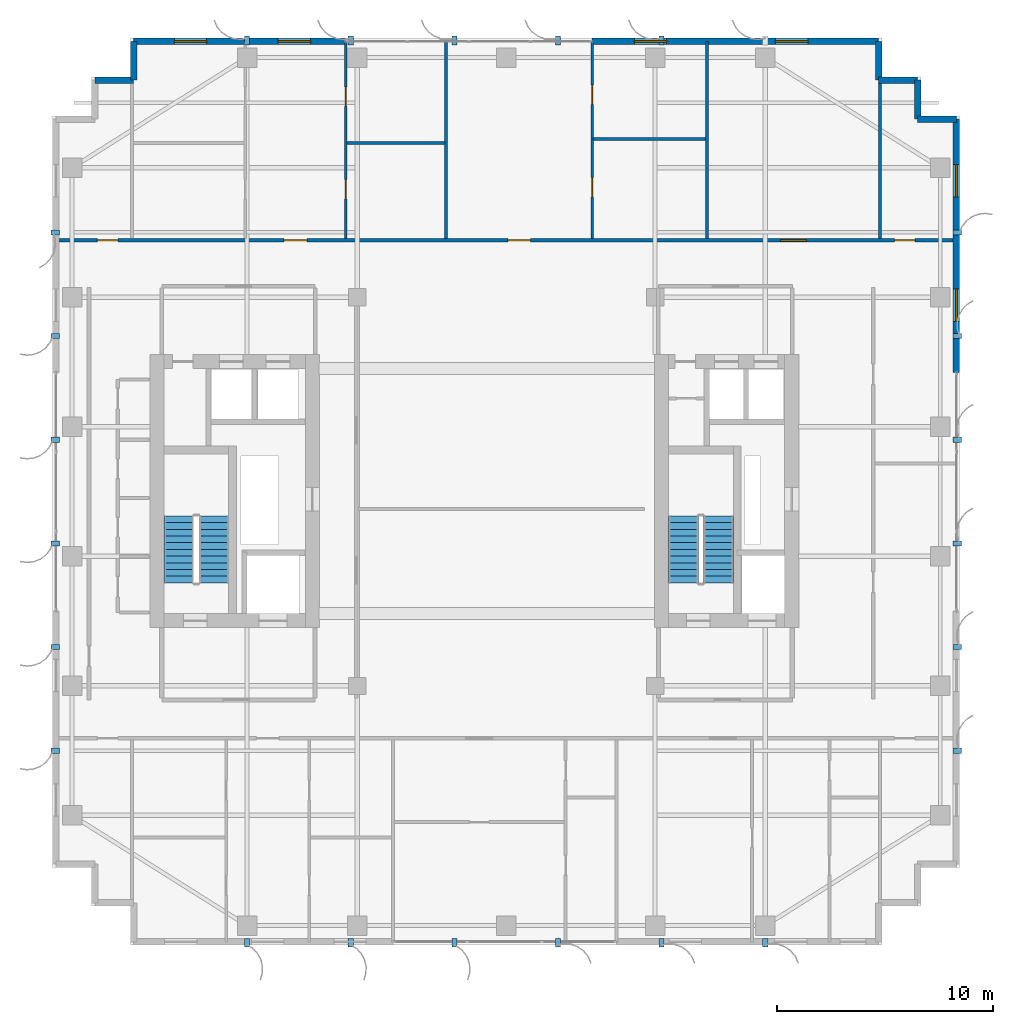
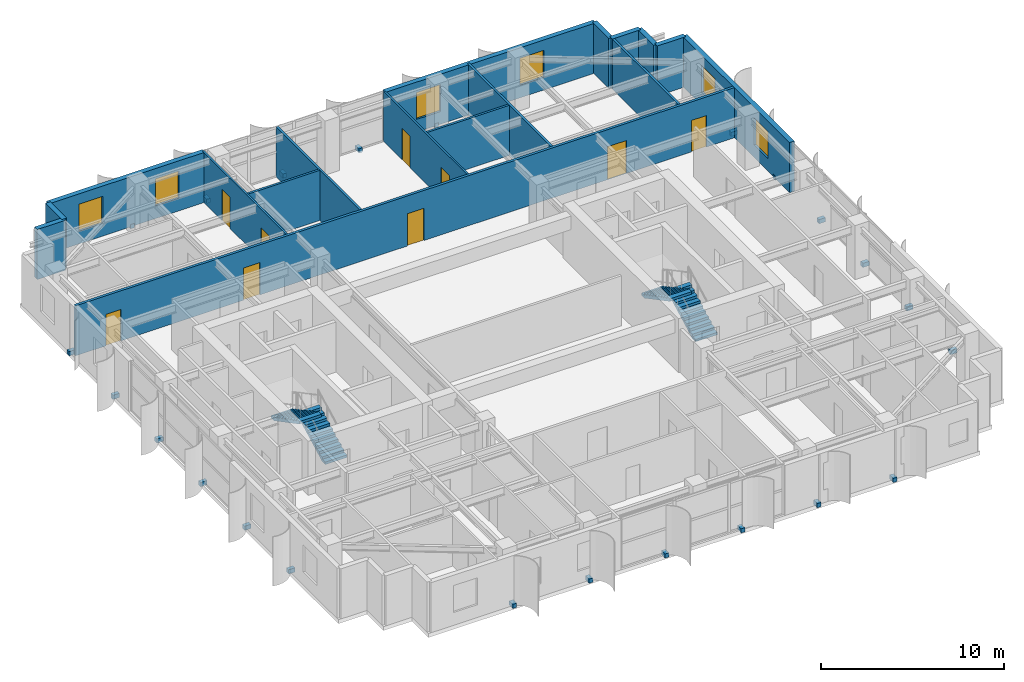
# One storey, part 18 of 22: 23 discrete accessories, 17 walls, 9 doors, 6 windows, 4 stair flights, 15 openings, 2 elements without a shape of their own.
"""IFC4 building model written with IfcOpenShell, lengths in metres."""

from ifc_helpers import new_model, si_unit, direction, frame, frame_2d, origin, origin_2d, place, context, subcontext, project, spatial, polyline, rectangle, outline, extrude, source, transform, mapped, material, layer, layer_set, type_object, element, fill, aggregate, save


model = new_model("IFC4")

# Units and contexts
model_context = context("Model", 3, precision=1e-05, world=origin(), true_north=direction((0.0, 1.0)))
body_context = subcontext(model_context, "Body", "Model", "MODEL_VIEW")
ifc_project = project(units=[si_unit("LENGTHUNIT", "METRE"), si_unit("AREAUNIT", "SQUARE_METRE"), si_unit("VOLUMEUNIT", "CUBIC_METRE"), si_unit("PLANEANGLEUNIT", "RADIAN"), si_unit("MASSUNIT", "GRAM", prefix="KILO")], contexts=[model_context])

# Site, building, storey
site_placement = place(None, origin())
site = spatial("IfcSite", under=ifc_project, at=site_placement, CompositionType="ELEMENT")
building_placement = place(site_placement, origin())
building = spatial("IfcBuilding", under=site, at=building_placement, Name="Khoralis Quay Care Tower", CompositionType="ELEMENT")
storey_placement = place(building_placement, frame((0.0, 0.0, 180.89990234375)))
storey = spatial("IfcBuildingStorey", under=building, at=storey_placement, Name="L47", CompositionType="ELEMENT", Elevation=180.89990234375)

# Wall, openings, doors
ifc_material_1 = material(Name="Gypsum plasterboard on acoustic metal stud")
ifc_layer_1 = layer(ifc_material_1, 0.1650390625)
ifc_layer_set_1 = layer_set([ifc_layer_1], Name="Gypsum plasterboard on acoustic metal stud")
wall_type_1 = type_object("IfcWallType", Name="WL-CORR-165", PredefinedType="PARTITIONING", material=ifc_layer_set_1)
wall_1_placement = place(storey_placement, frame((3.14501953125, 32.639892578125, 0.0), z_axis=(0.0, 0.0, 1.0), x_axis=(1.0, 0.0, 0.0)))
wall_1 = element("IfcWall", 1, at=wall_1_placement, inside=storey, type_object=wall_type_1, Name="L47 North Main Corridor Wall", PredefinedType="PARTITIONING", context=body_context, shape_type="SweptSolid", body=[
    extrude(rectangle(XDim=41.7099609375, YDim=0.1650390625, at=frame_2d((20.85498046875, 0.0))), origin(), (0.0, 0.0, 1.0), 3.340087890625),
])
opening_1_placement = place(wall_1_placement, frame((10.570556640625, 0.0, 0.0)))
opening_1 = element("IfcOpeningElement", 2, at=opening_1_placement, cuts=wall_1, Name="Opening UD1", PredefinedType="OPENING", context=body_context, shape_type="SweptSolid", body=[
    extrude(rectangle(XDim=1.050048828125, YDim=2.14990234375, at=frame_2d((0.52490234375, 1.074951171875))), frame((0.0, 0.092529296875, 0.0), z_axis=(0.0, -1.0, 0.0), x_axis=(1.0, 0.0, 0.0)), (0.0, 0.0, 1.0), 0.18505859375),
])
opening_2_placement = place(wall_1_placement, frame((20.929443359375, 0.0, 0.0)))
opening_2 = element("IfcOpeningElement", 3, at=opening_2_placement, cuts=wall_1, Name="Opening UD1", PredefinedType="OPENING", context=body_context, shape_type="SweptSolid", body=[
    extrude(rectangle(XDim=1.050048828125, YDim=2.14990234375, at=frame_2d((0.52490234375, 1.074951171875))), frame((0.0, 0.092529296875, 0.0), z_axis=(0.0, -1.0, 0.0), x_axis=(1.0, 0.0, 0.0)), (0.0, 0.0, 1.0), 0.18505859375),
])
opening_3_placement = place(wall_1_placement, frame((33.56005859375, 0.0, 0.0)))
opening_3 = element("IfcOpeningElement", 4, at=opening_3_placement, cuts=wall_1, Name="Opening FD1", PredefinedType="OPENING", context=body_context, shape_type="SweptSolid", body=[
    extrude(rectangle(XDim=1.199951171875, YDim=2.199951171875, at=frame_2d((0.60009765625, 1.10009765625))), frame((0.0, 0.092529296875, 0.0), z_axis=(0.0, -1.0, 0.0), x_axis=(1.0, 0.0, 0.0)), (0.0, 0.0, 1.0), 0.18505859375),
])
opening_4_placement = place(wall_1_placement, frame((1.919921875, 0.0, 0.0)))
opening_4 = element("IfcOpeningElement", 5, at=opening_4_placement, cuts=wall_1, Name="Opening ID1", PredefinedType="OPENING", context=body_context, shape_type="SweptSolid", body=[
    extrude(rectangle(XDim=0.949951171875, YDim=2.10009765625, at=frame_2d((0.47509765625, 1.050048828125))), frame((0.0, 0.092529296875, 0.0), z_axis=(0.0, -1.0, 0.0), x_axis=(1.0, 0.0, 0.0)), (0.0, 0.0, 1.0), 0.18505859375),
])
opening_5_placement = place(wall_1_placement, frame((38.840087890625, 0.0, 0.0)))
opening_5 = element("IfcOpeningElement", 6, at=opening_5_placement, cuts=wall_1, Name="Opening ID1", PredefinedType="OPENING", context=body_context, shape_type="SweptSolid", body=[
    extrude(rectangle(XDim=0.949951171875, YDim=2.10009765625, at=frame_2d((0.47509765625, 1.050048828125))), frame((0.0, 0.092529296875, 0.0), z_axis=(0.0, -1.0, 0.0), x_axis=(1.0, 0.0, 0.0)), (0.0, 0.0, 1.0), 0.18505859375),
])
ifc_material_2 = material(Name="Fire-rated painted steel", Category="steel")
door_type_1 = type_object("IfcDoorType", Name="DR-FFL-1200X2200", OperationType="NOTDEFINED", PredefinedType="DOOR", material=ifc_material_2)
shared_shape_1 = source(origin(), body_context, "Body", "SweptSolid", [
    extrude(rectangle(XDim=1.199951171875, YDim=2.199951171875, at=frame_2d((0.60009765625, 1.10009765625))), frame((0.0, 0.02490234375, 0.0), z_axis=(0.0, -1.0, 0.0), x_axis=(1.0, 0.0, 0.0)), (0.0, 0.0, 1.0), 0.050048828125),
])
door_1_placement = place(opening_3_placement, origin())
door_1 = element("IfcDoor", 7, at=door_1_placement, inside=storey, type_object=door_type_1, Name="L47 Assisted Communal Dining Room Door", OperationType="DOUBLE_DOOR_SINGLE_SWING", OverallHeight=2.199951171875, OverallWidth=1.199951171875, PredefinedType="DOOR", context=body_context, shape_type="MappedRepresentation", body=[
    mapped(shared_shape_1, transform((0.0, 0.0, 0.0), scale=1.0)),
])
fill(opening_3, door_1)
ifc_material_3 = material(Name="Acoustic hardwood timber", Category="wood")
door_type_2 = type_object("IfcDoorType", Name="DR-ROOM-950X2100", OperationType="NOTDEFINED", PredefinedType="DOOR", material=ifc_material_3)
shared_shape_2 = source(origin(), body_context, "Body", "SweptSolid", [
    extrude(rectangle(XDim=0.949951171875, YDim=2.10009765625, at=frame_2d((0.47509765625, 1.050048828125))), frame((0.0, 0.02490234375, 0.0), z_axis=(0.0, -1.0, 0.0), x_axis=(1.0, 0.0, 0.0)), (0.0, 0.0, 1.0), 0.050048828125),
])
door_2_placement = place(opening_4_placement, origin())
door_2 = element("IfcDoor", 8, at=door_2_placement, inside=storey, type_object=door_type_2, Name="L47 NW Corner Door", OperationType="SINGLE_SWING_RIGHT", OverallHeight=2.10009765625, OverallWidth=0.949951171875, PredefinedType="DOOR", context=body_context, shape_type="MappedRepresentation", body=[
    mapped(shared_shape_2, transform((0.0, 0.0, 0.0), scale=1.0)),
])
fill(opening_4, door_2)
door_3_placement = place(opening_5_placement, origin())
door_3 = element("IfcDoor", 9, at=door_3_placement, inside=storey, type_object=door_type_2, Name="L47 NE Corner Door", OperationType="SINGLE_SWING_LEFT", OverallHeight=2.10009765625, OverallWidth=0.949951171875, PredefinedType="DOOR", context=body_context, shape_type="MappedRepresentation", body=[
    mapped(shared_shape_2, transform((0.0, 0.0, 0.0), scale=1.0)),
])
fill(opening_5, door_3)
door_type_3 = type_object("IfcDoorType", Name="DR-SUITE-1050X2150", OperationType="NOTDEFINED", PredefinedType="DOOR", material=ifc_material_3)
shared_shape_3 = source(origin(), body_context, "Body", "SweptSolid", [
    extrude(rectangle(XDim=1.050048828125, YDim=2.14990234375, at=frame_2d((0.52490234375, 1.074951171875))), frame((0.0, 0.02490234375, 0.0), z_axis=(0.0, -1.0, 0.0), x_axis=(1.0, 0.0, 0.0)), (0.0, 0.0, 1.0), 0.050048828125),
])
door_4_placement = place(opening_1_placement, origin())
door_4 = element("IfcDoor", 10, at=door_4_placement, inside=storey, type_object=door_type_3, Name="L47 2BR NB0 Entrance", OperationType="SINGLE_SWING_LEFT", OverallHeight=2.14990234375, OverallWidth=1.050048828125, PredefinedType="DOOR", context=body_context, shape_type="MappedRepresentation", body=[
    mapped(shared_shape_3, transform((0.0, 0.0, 0.0), scale=1.0)),
])
fill(opening_1, door_4)
door_5_placement = place(opening_2_placement, origin())
door_5 = element("IfcDoor", 11, at=door_5_placement, inside=storey, type_object=door_type_3, Name="L47 Studio NB1 Entrance", OperationType="SINGLE_SWING_RIGHT", OverallHeight=2.14990234375, OverallWidth=1.050048828125, PredefinedType="DOOR", context=body_context, shape_type="MappedRepresentation", body=[
    mapped(shared_shape_3, transform((0.0, 0.0, 0.0), scale=1.0)),
])
fill(opening_2, door_5)

# Wall, openings, windows
ifc_material_4 = material(Name="Precast concrete C45/55", Category="concrete")
ifc_layer_2 = layer(ifc_material_4, 0.300048828125)
ifc_layer_set_2 = layer_set([ifc_layer_2], Name="Precast concrete C45/55")
wall_type_2 = type_object("IfcWallType", Name="WL-EXT-REF-300", PredefinedType="SOLIDWALL", material=ifc_layer_set_2)
wall_2_placement = place(storey_placement, frame((44.85009765625, 26.52001953125, 0.0), z_axis=(0.0, 0.0, 1.0), x_axis=(0.0, 1.0, 0.0)))
wall_2 = element("IfcWall", 12, at=wall_2_placement, inside=storey, type_object=wall_type_2, Name="L47 External Facade Wall WL-EXT-L47-P1-E5B", PredefinedType="SOLIDWALL", context=body_context, shape_type="SweptSolid", body=[
    extrude(rectangle(XDim=11.72998046875, YDim=0.300048828125, at=frame_2d((5.864990234375, 0.0))), origin(), (0.0, 0.0, 1.0), 3.340087890625),
])
opening_6_placement = place(wall_2_placement, frame((2.360107421875, 0.0, 0.85009765625)))
opening_6 = element("IfcOpeningElement", 13, at=opening_6_placement, cuts=wall_2, Name="Opening W3", PredefinedType="OPENING", context=body_context, shape_type="SweptSolid", body=[
    extrude(rectangle(XDim=1.5, YDim=1.800048828125, at=frame_2d((0.75, 0.89990234375))), frame((0.0, 0.16015625, 0.0), z_axis=(0.0, -1.0, 0.0), x_axis=(1.0, 0.0, 0.0)), (0.0, 0.0, 1.0), 0.320068359375),
])
opening_7_placement = place(wall_2_placement, frame((8.125, 0.0, 0.85009765625)))
opening_7 = element("IfcOpeningElement", 14, at=opening_7_placement, cuts=wall_2, Name="Opening W3", PredefinedType="OPENING", context=body_context, shape_type="SweptSolid", body=[
    extrude(rectangle(XDim=1.5, YDim=1.800048828125, at=frame_2d((0.75, 0.89990234375))), frame((0.0, 0.16015625, 0.0), z_axis=(0.0, -1.0, 0.0), x_axis=(1.0, 0.0, 0.0)), (0.0, 0.0, 1.0), 0.320068359375),
])
ifc_material_5 = material(Name="Low-E solar-control double glazing", Category="glass")
window_type = type_object("IfcWindowType", Name="WN-CLIN-1500X1800", PartitioningType="SINGLE_PANEL", PredefinedType="WINDOW", material=ifc_material_5)
shared_shape_4 = source(origin(), body_context, "Body", "SweptSolid", [
    extrude(rectangle(XDim=1.5, YDim=1.800048828125, at=frame_2d((0.75, 0.89990234375))), frame((0.0, 0.030029296875, 0.0), z_axis=(0.0, -1.0, 0.0), x_axis=(1.0, 0.0, 0.0)), (0.0, 0.0, 1.0), 0.06005859375),
])
window_1_placement = place(opening_6_placement, origin())
window_1 = element("IfcWindow", 15, at=window_1_placement, inside=storey, type_object=window_type, Name="WN-L47-P1-E5B Facade Window 01", OverallHeight=1.800048828125, OverallWidth=1.5, PartitioningType="SINGLE_PANEL", PredefinedType="WINDOW", context=body_context, shape_type="MappedRepresentation", body=[
    mapped(shared_shape_4, transform((0.0, 0.0, 0.0), scale=1.0)),
])
fill(opening_6, window_1)
window_2_placement = place(opening_7_placement, origin())
window_2 = element("IfcWindow", 16, at=window_2_placement, inside=storey, type_object=window_type, Name="WN-L47-P1-E5B Facade Window 02", OverallHeight=1.800048828125, OverallWidth=1.5, PartitioningType="SINGLE_PANEL", PredefinedType="WINDOW", context=body_context, shape_type="MappedRepresentation", body=[
    mapped(shared_shape_4, transform((0.0, 0.0, 0.0), scale=1.0)),
])
fill(opening_7, window_2)

# Walls
for number, where, z_axis, x_axis, name in (
    (17, (44.85009765625, 38.25, 0.0), (0.0, 0.0, 1.0), (-1.0, 0.0, 0.0), "L47 External Facade Wall WL-EXT-L47-P1-C6"),
    (18, (43.050048828125, 38.25, 0.0), (0.0, 0.0, 1.0), (0.0, 1.0, 0.0), "L47 External Facade Wall WL-EXT-L47-P1-C7"),
    (19, (43.050048828125, 40.050048828125, 0.0), (0.0, 0.0, 1.0), (-1.0, 0.0, 0.0), "L47 External Facade Wall WL-EXT-L47-P1-C8"),
    (20, (41.25, 40.050048828125, 0.0), (0.0, 0.0, 1.0), (0.0, 1.0, 0.0), "L47 External Facade Wall WL-EXT-L47-P1-C9"),
):
    element("IfcWall", number, at=place(storey_placement, frame(where, z_axis=z_axis, x_axis=x_axis)), inside=storey, type_object=wall_type_2, Name=name, PredefinedType="SOLIDWALL", context=body_context, shape_type="SweptSolid", body=[
        extrude(rectangle(XDim=1.800048828125, YDim=0.300048828125, at=frame_2d((0.89990234375, 0.0))), origin(), (0.0, 0.0, 1.0), 3.340087890625),
    ])

# Wall, openings, windows
wall_3_placement = place(storey_placement, frame((41.25, 41.85009765625, 0.0), z_axis=(0.0, 0.0, 1.0), x_axis=(-1.0, 0.0, 0.0)))
wall_3 = element("IfcWall", 21, at=wall_3_placement, inside=storey, type_object=wall_type_2, Name="L47 External Facade Wall WL-EXT-L47-P1-E10A", PredefinedType="SOLIDWALL", context=body_context, shape_type="SweptSolid", body=[
    extrude(rectangle(XDim=13.27099609375, YDim=0.300048828125, at=frame_2d((6.635498046875, 0.0))), origin(), (0.0, 0.0, 1.0), 3.340087890625),
])
opening_8_placement = place(wall_3_placement, frame((3.280029296875, 0.0, 0.85009765625)))
opening_8 = element("IfcOpeningElement", 22, at=opening_8_placement, cuts=wall_3, Name="Opening W3", PredefinedType="OPENING", context=body_context, shape_type="SweptSolid", body=[
    extrude(rectangle(XDim=1.5, YDim=1.800048828125, at=frame_2d((0.75, 0.89990234375))), frame((0.0, 0.16015625, 0.0), z_axis=(0.0, -1.0, 0.0), x_axis=(1.0, 0.0, 0.0)), (0.0, 0.0, 1.0), 0.320068359375),
])
opening_9_placement = place(wall_3_placement, frame((9.8154296875, 0.0, 0.85009765625)))
opening_9 = element("IfcOpeningElement", 23, at=opening_9_placement, cuts=wall_3, Name="Opening W3", PredefinedType="OPENING", context=body_context, shape_type="SweptSolid", body=[
    extrude(rectangle(XDim=1.5, YDim=1.800048828125, at=frame_2d((0.75, 0.89990234375))), frame((0.0, 0.16015625, 0.0), z_axis=(0.0, -1.0, 0.0), x_axis=(1.0, 0.0, 0.0)), (0.0, 0.0, 1.0), 0.320068359375),
])
window_3_placement = place(opening_8_placement, origin())
window_3 = element("IfcWindow", 24, at=window_3_placement, inside=storey, type_object=window_type, Name="WN-L47-P1-E10A Facade Window 01", OverallHeight=1.800048828125, OverallWidth=1.5, PartitioningType="SINGLE_PANEL", PredefinedType="WINDOW", context=body_context, shape_type="MappedRepresentation", body=[
    mapped(shared_shape_4, transform((0.0, 0.0, 0.0), scale=1.0)),
])
fill(opening_8, window_3)
window_4_placement = place(opening_9_placement, origin())
window_4 = element("IfcWindow", 25, at=window_4_placement, inside=storey, type_object=window_type, Name="WN-L47-P1-E10A Facade Window 02", OverallHeight=1.800048828125, OverallWidth=1.5, PartitioningType="SINGLE_PANEL", PredefinedType="WINDOW", context=body_context, shape_type="MappedRepresentation", body=[
    mapped(shared_shape_4, transform((0.0, 0.0, 0.0), scale=1.0)),
])
fill(opening_9, window_4)

wall_4_placement = place(storey_placement, frame((16.56689453125, 41.85009765625, 0.0), z_axis=(0.0, 0.0, 1.0), x_axis=(-1.0, 0.0, 0.0)))
wall_4 = element("IfcWall", 26, at=wall_4_placement, inside=storey, type_object=wall_type_2, Name="L47 External Facade Wall WL-EXT-L47-P1-E10B", PredefinedType="SOLIDWALL", context=body_context, shape_type="SweptSolid", body=[
    extrude(rectangle(XDim=9.81689453125, YDim=0.300048828125, at=frame_2d((4.908447265625, 0.0))), origin(), (0.0, 0.0, 1.0), 3.340087890625),
])
opening_10_placement = place(wall_4_placement, frame((1.62646484375, 0.0, 0.85009765625)))
opening_10 = element("IfcOpeningElement", 27, at=opening_10_placement, cuts=wall_4, Name="Opening W3", PredefinedType="OPENING", context=body_context, shape_type="SweptSolid", body=[
    extrude(rectangle(XDim=1.5, YDim=1.800048828125, at=frame_2d((0.75, 0.89990234375))), frame((0.0, 0.16015625, 0.0), z_axis=(0.0, -1.0, 0.0), x_axis=(1.0, 0.0, 0.0)), (0.0, 0.0, 1.0), 0.320068359375),
])
opening_11_placement = place(wall_4_placement, frame((6.43505859375, 0.0, 0.85009765625)))
opening_11 = element("IfcOpeningElement", 28, at=opening_11_placement, cuts=wall_4, Name="Opening W3", PredefinedType="OPENING", context=body_context, shape_type="SweptSolid", body=[
    extrude(rectangle(XDim=1.5, YDim=1.800048828125, at=frame_2d((0.75, 0.89990234375))), frame((0.0, 0.16015625, 0.0), z_axis=(0.0, -1.0, 0.0), x_axis=(1.0, 0.0, 0.0)), (0.0, 0.0, 1.0), 0.320068359375),
])
window_5_placement = place(opening_10_placement, origin())
window_5 = element("IfcWindow", 29, at=window_5_placement, inside=storey, type_object=window_type, Name="WN-L47-P1-E10B Facade Window 01", OverallHeight=1.800048828125, OverallWidth=1.5, PartitioningType="SINGLE_PANEL", PredefinedType="WINDOW", context=body_context, shape_type="MappedRepresentation", body=[
    mapped(shared_shape_4, transform((0.0, 0.0, 0.0), scale=1.0)),
])
fill(opening_10, window_5)
window_6_placement = place(opening_11_placement, origin())
window_6 = element("IfcWindow", 30, at=window_6_placement, inside=storey, type_object=window_type, Name="WN-L47-P1-E10B Facade Window 02", OverallHeight=1.800048828125, OverallWidth=1.5, PartitioningType="SINGLE_PANEL", PredefinedType="WINDOW", context=body_context, shape_type="MappedRepresentation", body=[
    mapped(shared_shape_4, transform((0.0, 0.0, 0.0), scale=1.0)),
])
fill(opening_11, window_6)

# Walls
for number, where, z_axis, x_axis, name in (
    (31, (6.75, 41.85009765625, 0.0), (0.0, 0.0, 1.0), (0.0, -1.0, 0.0), "L47 External Facade Wall WL-EXT-L47-P1-C11"),
    (32, (6.75, 40.050048828125, 0.0), (0.0, 0.0, 1.0), (-1.0, 0.0, 0.0), "L47 External Facade Wall WL-EXT-L47-P1-C12"),
):
    element("IfcWall", number, at=place(storey_placement, frame(where, z_axis=z_axis, x_axis=x_axis)), inside=storey, type_object=wall_type_2, Name=name, PredefinedType="SOLIDWALL", context=body_context, shape_type="SweptSolid", body=[
        extrude(rectangle(XDim=1.800048828125, YDim=0.300048828125, at=frame_2d((0.89990234375, 0.0))), origin(), (0.0, 0.0, 1.0), 3.340087890625),
    ])

# Wall, openings, doors
ifc_layer_3 = layer(ifc_material_1, 0.114990234375)
ifc_layer_set_3 = layer_set([ifc_layer_3], Name="Gypsum plasterboard on acoustic metal stud")
wall_type_3 = type_object("IfcWallType", Name="WL-PART-115", PredefinedType="PARTITIONING", material=ifc_layer_set_3)
wall_5_placement = place(storey_placement, frame((16.56689453125, 32.717529296875, 0.0), z_axis=(0.0, 0.0, 1.0), x_axis=(0.0, 1.0, 0.0)))
wall_5 = element("IfcWall", 33, at=wall_5_placement, inside=storey, type_object=wall_type_3, Name="L47 2BR 0 Right Wall", PredefinedType="PARTITIONING", context=body_context, shape_type="SweptSolid", body=[
    extrude(rectangle(XDim=9.137451171875, YDim=0.114990234375, at=frame_2d((4.56884765625, 0.0))), origin(), (0.0, 0.0, 1.0), 3.340087890625),
])
opening_12_placement = place(wall_5_placement, frame((6.1240234375, 0.0, 0.0)))
opening_12 = element("IfcOpeningElement", 34, at=opening_12_placement, cuts=wall_5, Name="Opening WD1", PredefinedType="OPENING", context=body_context, shape_type="SweptSolid", body=[
    extrude(rectangle(XDim=0.89990234375, YDim=2.10009765625, at=frame_2d((0.449951171875, 1.050048828125))), frame((0.0, 0.0673828125, 0.0), z_axis=(0.0, -1.0, 0.0), x_axis=(1.0, 0.0, 0.0)), (0.0, 0.0, 1.0), 0.135009765625),
])
opening_13_placement = place(wall_5_placement, frame((1.833984375, 0.0, 0.0)))
opening_13 = element("IfcOpeningElement", 35, at=opening_13_placement, cuts=wall_5, Name="Opening WD1", PredefinedType="OPENING", context=body_context, shape_type="SweptSolid", body=[
    extrude(rectangle(XDim=0.89990234375, YDim=2.10009765625, at=frame_2d((0.449951171875, 1.050048828125))), frame((0.0, 0.0673828125, 0.0), z_axis=(0.0, -1.0, 0.0), x_axis=(1.0, 0.0, 0.0)), (0.0, 0.0, 1.0), 0.135009765625),
])
door_type_4 = type_object("IfcDoorType", Name="DR-BATH-900X2100", OperationType="NOTDEFINED", PredefinedType="DOOR", material=ifc_material_3)
shared_shape_5 = source(origin(), body_context, "Body", "SweptSolid", [
    extrude(rectangle(XDim=0.89990234375, YDim=2.10009765625, at=frame_2d((0.449951171875, 1.050048828125))), frame((0.0, 0.02490234375, 0.0), z_axis=(0.0, -1.0, 0.0), x_axis=(1.0, 0.0, 0.0)), (0.0, 0.0, 1.0), 0.050048828125),
])
door_6_placement = place(opening_12_placement, frame((0.89990234375, 0.0, 0.0), z_axis=(0.0, 0.0, 1.0), x_axis=(-1.0, 0.0, 0.0)))
door_6 = element("IfcDoor", 36, at=door_6_placement, inside=storey, type_object=door_type_4, Name="L47 2BR BD2 Door", OperationType="SINGLE_SWING_RIGHT", OverallHeight=2.10009765625, OverallWidth=0.89990234375, PredefinedType="DOOR", context=body_context, shape_type="MappedRepresentation", body=[
    mapped(shared_shape_5, transform((0.0, 0.0, 0.0), scale=1.0)),
])
fill(opening_12, door_6)
door_7_placement = place(opening_13_placement, frame((0.89990234375, 0.0, 0.0), z_axis=(0.0, 0.0, 1.0), x_axis=(-1.0, 0.0, 0.0)))
door_7 = element("IfcDoor", 37, at=door_7_placement, inside=storey, type_object=door_type_4, Name="L47 2BR KIT Door", OperationType="SINGLE_SWING_LEFT", OverallHeight=2.10009765625, OverallWidth=0.89990234375, PredefinedType="DOOR", context=body_context, shape_type="MappedRepresentation", body=[
    mapped(shared_shape_5, transform((0.0, 0.0, 0.0), scale=1.0)),
])
fill(opening_13, door_7)

wall_6_placement = place(storey_placement, frame((27.97900390625, 32.717529296875, 0.0), z_axis=(0.0, 0.0, 1.0), x_axis=(0.0, 1.0, 0.0)))
wall_6 = element("IfcWall", 38, at=wall_6_placement, inside=storey, type_object=wall_type_3, Name="L47 Studio 1 Internal Wall", PredefinedType="PARTITIONING", context=body_context, shape_type="SweptSolid", body=[
    extrude(rectangle(XDim=9.137451171875, YDim=0.114990234375, at=frame_2d((4.56884765625, 0.0))), origin(), (0.0, 0.0, 1.0), 3.340087890625),
])
opening_14_placement = place(wall_6_placement, frame((6.217529296875, 0.0, 0.0)))
opening_14 = element("IfcOpeningElement", 39, at=opening_14_placement, cuts=wall_6, Name="Opening WD1", PredefinedType="OPENING", context=body_context, shape_type="SweptSolid", body=[
    extrude(rectangle(XDim=0.89990234375, YDim=2.10009765625, at=frame_2d((0.449951171875, 1.050048828125))), frame((0.0, 0.0673828125, 0.0), z_axis=(0.0, -1.0, 0.0), x_axis=(1.0, 0.0, 0.0)), (0.0, 0.0, 1.0), 0.135009765625),
])
opening_15_placement = place(wall_6_placement, frame((1.927490234375, 0.0, 0.0)))
opening_15 = element("IfcOpeningElement", 40, at=opening_15_placement, cuts=wall_6, Name="Opening WD1", PredefinedType="OPENING", context=body_context, shape_type="SweptSolid", body=[
    extrude(rectangle(XDim=0.89990234375, YDim=2.10009765625, at=frame_2d((0.449951171875, 1.050048828125))), frame((0.0, 0.0673828125, 0.0), z_axis=(0.0, -1.0, 0.0), x_axis=(1.0, 0.0, 0.0)), (0.0, 0.0, 1.0), 0.135009765625),
])
door_8_placement = place(opening_14_placement, frame((0.89990234375, 0.0, 0.0), z_axis=(0.0, 0.0, 1.0), x_axis=(-1.0, 0.0, 0.0)))
door_8 = element("IfcDoor", 41, at=door_8_placement, inside=storey, type_object=door_type_4, Name="L47 Studio SKT Door", OperationType="SINGLE_SWING_LEFT", OverallHeight=2.10009765625, OverallWidth=0.89990234375, PredefinedType="DOOR", context=body_context, shape_type="MappedRepresentation", body=[
    mapped(shared_shape_5, transform((0.0, 0.0, 0.0), scale=1.0)),
])
fill(opening_14, door_8)
door_9_placement = place(opening_15_placement, frame((0.89990234375, 0.0, 0.0), z_axis=(0.0, 0.0, 1.0), x_axis=(-1.0, 0.0, 0.0)))
door_9 = element("IfcDoor", 42, at=door_9_placement, inside=storey, type_object=door_type_4, Name="L47 Studio SBH Door", OperationType="SINGLE_SWING_RIGHT", OverallHeight=2.10009765625, OverallWidth=0.89990234375, PredefinedType="DOOR", context=body_context, shape_type="MappedRepresentation", body=[
    mapped(shared_shape_5, transform((0.0, 0.0, 0.0), scale=1.0)),
])
fill(opening_15, door_9)

# Walls
ifc_material_6 = material(Name="Moisture-resistant gypsum and ceramic tile")
ifc_layer_4 = layer(ifc_material_6, 0.280029296875)
ifc_layer_set_4 = layer_set([ifc_layer_4], Name="Moisture-resistant gypsum and ceramic tile")
wall_type_4 = type_object("IfcWallType", Name="WL-PLUMB-280", PredefinedType="PLUMBINGWALL", material=ifc_layer_set_4)
wall_7_placement = place(storey_placement, frame((16.619384765625, 37.133056640625, 0.0), z_axis=(0.0, 0.0, 1.0), x_axis=(1.0, 0.0, 0.0)))
element("IfcWall", 43, at=wall_7_placement, inside=storey, type_object=wall_type_4, Name="L47 2BR 0 Right Split", PredefinedType="PLUMBINGWALL", context=body_context, shape_type="SweptSolid", body=[
    extrude(rectangle(XDim=4.53564453125, YDim=0.139892578125, at=frame_2d((2.267822265625, 0.0))), origin(), (0.0, 0.0, 1.0), 3.340087890625),
])
wall_8_placement = place(storey_placement, frame((28.031494140625, 37.320068359375, 0.0), z_axis=(0.0, 0.0, 1.0), x_axis=(1.0, 0.0, 0.0)))
element("IfcWall", 44, at=wall_8_placement, inside=storey, type_object=wall_type_4, Name="L47 Studio 1 Wet Split", PredefinedType="PLUMBINGWALL", context=body_context, shape_type="SweptSolid", body=[
    extrude(rectangle(XDim=5.193603515625, YDim=0.139892578125, at=frame_2d((2.5966796875, 0.0))), origin(), (0.0, 0.0, 1.0), 3.340087890625),
])
ifc_layer_5 = layer(ifc_material_1, 0.139892578125)
ifc_layer_set_5 = layer_set([ifc_layer_5], Name="Gypsum plasterboard on acoustic metal stud")
wall_type_5 = type_object("IfcWallType", Name="WL-UNIT-140", PredefinedType="PARTITIONING", material=ifc_layer_set_5)
for number, where, z_axis, x_axis, name in (
    (45, (21.219970703125, 32.717529296875, 0.0), (0.0, 0.0, 1.0), (0.0, 1.0, 0.0), "L47 NB Demising Wall 1"),
    (46, (33.2900390625, 32.717529296875, 0.0), (0.0, 0.0, 1.0), (0.0, 1.0, 0.0), "L47 NB Demising Wall 2"),
):
    element("IfcWall", number, at=place(storey_placement, frame(where, z_axis=z_axis, x_axis=x_axis)), inside=storey, type_object=wall_type_5, Name=name, PredefinedType="PARTITIONING", context=body_context, shape_type="SweptSolid", body=[
        extrude(rectangle(XDim=9.137451171875, YDim=0.139892578125, at=frame_2d((4.56884765625, 0.0))), origin(), (0.0, 0.0, 1.0), 3.340087890625),
    ])
wall_9_placement = place(storey_placement, frame((41.320068359375, 32.717529296875, 0.0), z_axis=(0.0, 0.0, 1.0), x_axis=(0.0, 1.0, 0.0)))
element("IfcWall", 47, at=wall_9_placement, inside=storey, type_object=wall_type_5, Name="L47 NB Demising Wall 3", PredefinedType="PARTITIONING", context=body_context, shape_type="SweptSolid", body=[
    extrude(rectangle(XDim=7.33740234375, YDim=0.139892578125, at=frame_2d((3.668701171875, 0.0))), origin(), (0.0, 0.0, 1.0), 3.340087890625),
])

# Stair, stair flights
stair_type = type_object("IfcStairType", Name="ST-TWR-DOGLEG-1400", PredefinedType="HALF_TURN_STAIR", material=ifc_material_4)
stair_1_placement = place(storey_placement, origin())
stair_1 = element("IfcStair", 48, at=stair_1_placement, inside=storey, type_object=stair_type, Name="L47 West Core Exit Stair ST-T1", PredefinedType="HALF_TURN_STAIR")
stair_flight_type = type_object("IfcStairFlightType", Name="SF-TWR-1400", PredefinedType="STRAIGHT", material=ifc_material_4)
shared_shape_6 = source(origin(), body_context, "Body", "SweptSolid", [
    extrude(outline(polyline([(0.0, 0.0), (0.0, 0.16357421875), (0.31005859375, 0.16357421875), (0.31005859375, 0.327392578125), (0.6201171875, 0.327392578125), (0.6201171875, 0.490966796875), (0.929931640625, 0.490966796875), (0.929931640625, 0.654541015625), (1.239990234375, 0.654541015625), (1.239990234375, 0.818115234375), (1.550048828125, 0.818115234375), (1.550048828125, 0.98193359375), (1.860107421875, 0.98193359375), (1.860107421875, 1.1455078125), (2.169921875, 1.1455078125), (2.169921875, 1.30908203125), (2.47998046875, 1.30908203125), (2.47998046875, 1.47265625), (2.7900390625, 1.47265625), (2.7900390625, 1.636474609375), (3.10009765625, 1.636474609375), (3.10009765625, 1.800048828125), (3.10009765625, 1.466796875), (0.321044921875, 0.0), (0.0, 0.0)])), frame((0.0, 0.68994140625, 0.0), z_axis=(0.0, -1.0, 0.0), x_axis=(1.0, 0.0, 0.0)), (0.0, 0.0, 1.0), 1.3798828125),
])
stair_flight_1_placement = place(storey_placement, frame((10.4599609375, 16.77001953125, 0.0), z_axis=(0.0, 0.0, 1.0), x_axis=(0.0, 1.0, 0.0)))
stair_flight_1 = element("IfcStairFlight", 49, at=stair_flight_1_placement, type_object=stair_flight_type, Name="ST-T1 flight 1", NumberOfRisers=11, NumberOfTreads=10, PredefinedType="STRAIGHT", RiserHeight=0.163636364, TreadLength=0.31, context=body_context, shape_type="MappedRepresentation", body=[
    mapped(shared_shape_6, transform((0.0, 0.0, 0.0), scale=1.0)),
])
stair_flight_2_placement = place(storey_placement, frame((8.840087890625, 19.8701171875, 1.800048828125), z_axis=(0.0, 0.0, 1.0), x_axis=(0.0, -1.0, 0.0)))
stair_flight_2 = element("IfcStairFlight", 50, at=stair_flight_2_placement, type_object=stair_flight_type, Name="ST-T1 flight 2", NumberOfRisers=11, NumberOfTreads=10, PredefinedType="STRAIGHT", RiserHeight=0.163636364, TreadLength=0.31, context=body_context, shape_type="MappedRepresentation", body=[
    mapped(shared_shape_6, transform((0.0, 0.0, 0.0), scale=1.0)),
])
aggregate(stair_1, [stair_flight_1, stair_flight_2])

stair_2_placement = place(storey_placement, origin())
stair_2 = element("IfcStair", 51, at=stair_2_placement, inside=storey, type_object=stair_type, Name="L47 East Core Exit Stair ST-T2", PredefinedType="HALF_TURN_STAIR")
stair_flight_3_placement = place(storey_placement, frame((33.830078125, 16.77001953125, 0.0), z_axis=(0.0, 0.0, 1.0), x_axis=(0.0, 1.0, 0.0)))
stair_flight_3 = element("IfcStairFlight", 52, at=stair_flight_3_placement, type_object=stair_flight_type, Name="ST-T2 flight 1", NumberOfRisers=11, NumberOfTreads=10, PredefinedType="STRAIGHT", RiserHeight=0.163636364, TreadLength=0.31, context=body_context, shape_type="MappedRepresentation", body=[
    mapped(shared_shape_6, transform((0.0, 0.0, 0.0), scale=1.0)),
])
stair_flight_4_placement = place(storey_placement, frame((32.2099609375, 19.8701171875, 1.800048828125), z_axis=(0.0, 0.0, 1.0), x_axis=(0.0, -1.0, 0.0)))
stair_flight_4 = element("IfcStairFlight", 53, at=stair_flight_4_placement, type_object=stair_flight_type, Name="ST-T2 flight 2", NumberOfRisers=11, NumberOfTreads=10, PredefinedType="STRAIGHT", RiserHeight=0.163636364, TreadLength=0.31, context=body_context, shape_type="MappedRepresentation", body=[
    mapped(shared_shape_6, transform((0.0, 0.0, 0.0), scale=1.0)),
])
aggregate(stair_2, [stair_flight_3, stair_flight_4])

# Discrete accessories
ifc_material_7 = material(Name="Brushed stainless steel", Category="steel")
discrete_accessory_type = type_object("IfcDiscreteAccessoryType", Name="ACC-FIN-BRACKET", PredefinedType="BRACKET", material=ifc_material_7)
shared_shape_7 = source(origin(), body_context, "Body", "SweptSolid", [
    extrude(rectangle(XDim=0.39990234375, YDim=0.239990234375, at=origin_2d()), origin(), (0.0, 0.0, 1.0), 0.280029296875),
])
for number, where, z_axis, x_axis, name in (
    (54, (12.0, 0.110107421875, -0.1201171875), (0.0, 0.0, 1.0), (0.0, -1.0, 0.0), "L47 Solar Fin Bracket P1E0-01"),
    (55, (16.800048828125, 0.110107421875, -0.1201171875), (0.0, 0.0, 1.0), (0.0, -1.0, 0.0), "L47 Solar Fin Bracket P1E0-02"),
    (56, (21.60009765625, 0.110107421875, -0.1201171875), (0.0, 0.0, 1.0), (0.0, -1.0, 0.0), "L47 Solar Fin Bracket P1E0-03"),
    (57, (26.39990234375, 0.110107421875, -0.1201171875), (0.0, 0.0, 1.0), (0.0, -1.0, 0.0), "L47 Solar Fin Bracket P1E0-04"),
    (58, (31.199951171875, 0.110107421875, -0.1201171875), (0.0, 0.0, 1.0), (0.0, -1.0, 0.0), "L47 Solar Fin Bracket P1E0-05"),
    (59, (36.0, 0.110107421875, -0.1201171875), (0.0, 0.0, 1.0), (0.0, -1.0, 0.0), "L47 Solar Fin Bracket P1E0-06"),
    (60, (44.889892578125, 9.0, -0.1201171875), (0.0, 0.0, 1.0), (1.0, 0.0, 0.0), "L47 Solar Fin Bracket P1E5-01"),
    (61, (44.889892578125, 13.800048828125, -0.1201171875), (0.0, 0.0, 1.0), (1.0, 0.0, 0.0), "L47 Solar Fin Bracket P1E5-02"),
    (62, (44.889892578125, 18.60009765625, -0.1201171875), (0.0, 0.0, 1.0), (1.0, 0.0, 0.0), "L47 Solar Fin Bracket P1E5-03"),
    (63, (44.889892578125, 23.39990234375, -0.1201171875), (0.0, 0.0, 1.0), (1.0, 0.0, 0.0), "L47 Solar Fin Bracket P1E5-04"),
    (64, (44.889892578125, 28.199951171875, -0.1201171875), (0.0, 0.0, 1.0), (1.0, 0.0, 0.0), "L47 Solar Fin Bracket P1E5-05"),
    (65, (44.889892578125, 33.0, -0.1201171875), (0.0, 0.0, 1.0), (1.0, 0.0, 0.0), "L47 Solar Fin Bracket P1E5-06"),
    (66, (31.199951171875, 41.889892578125, -0.1201171875), (0.0, 0.0, 1.0), (0.0, 1.0, 0.0), "L47 Solar Fin Bracket P1E10-02"),
    (67, (26.39990234375, 41.889892578125, -0.1201171875), (0.0, 0.0, 1.0), (0.0, 1.0, 0.0), "L47 Solar Fin Bracket P1E10-03"),
    (68, (21.60009765625, 41.889892578125, -0.1201171875), (0.0, 0.0, 1.0), (0.0, 1.0, 0.0), "L47 Solar Fin Bracket P1E10-04"),
    (69, (16.800048828125, 41.889892578125, -0.1201171875), (0.0, 0.0, 1.0), (0.0, 1.0, 0.0), "L47 Solar Fin Bracket P1E10-05"),
    (70, (12.0, 41.889892578125, -0.1201171875), (0.0, 0.0, 1.0), (0.0, 1.0, 0.0), "L47 Solar Fin Bracket P1E10-06"),
    (71, (3.110107421875, 33.0, -0.1201171875), (0.0, 0.0, 1.0), (-1.0, 0.0, 0.0), "L47 Solar Fin Bracket P1E15-01"),
    (72, (3.110107421875, 28.199951171875, -0.1201171875), (0.0, 0.0, 1.0), (-1.0, 0.0, 0.0), "L47 Solar Fin Bracket P1E15-02"),
    (73, (3.110107421875, 23.39990234375, -0.1201171875), (0.0, 0.0, 1.0), (-1.0, 0.0, 0.0), "L47 Solar Fin Bracket P1E15-03"),
    (74, (3.110107421875, 18.60009765625, -0.1201171875), (0.0, 0.0, 1.0), (-1.0, 0.0, 0.0), "L47 Solar Fin Bracket P1E15-04"),
    (75, (3.110107421875, 13.800048828125, -0.1201171875), (0.0, 0.0, 1.0), (-1.0, 0.0, 0.0), "L47 Solar Fin Bracket P1E15-05"),
    (76, (3.110107421875, 9.0, -0.1201171875), (0.0, 0.0, 1.0), (-1.0, 0.0, 0.0), "L47 Solar Fin Bracket P1E15-06"),
):
    element("IfcDiscreteAccessory", number, at=place(storey_placement, frame(where, z_axis=z_axis, x_axis=x_axis)), inside=storey, type_object=discrete_accessory_type, Name=name, PredefinedType="BRACKET", context=body_context, shape_type="MappedRepresentation", body=[
        mapped(shared_shape_7, transform((0.0, 0.0, 0.0), scale=1.0)),
    ])

save(model, "model.ifc")
